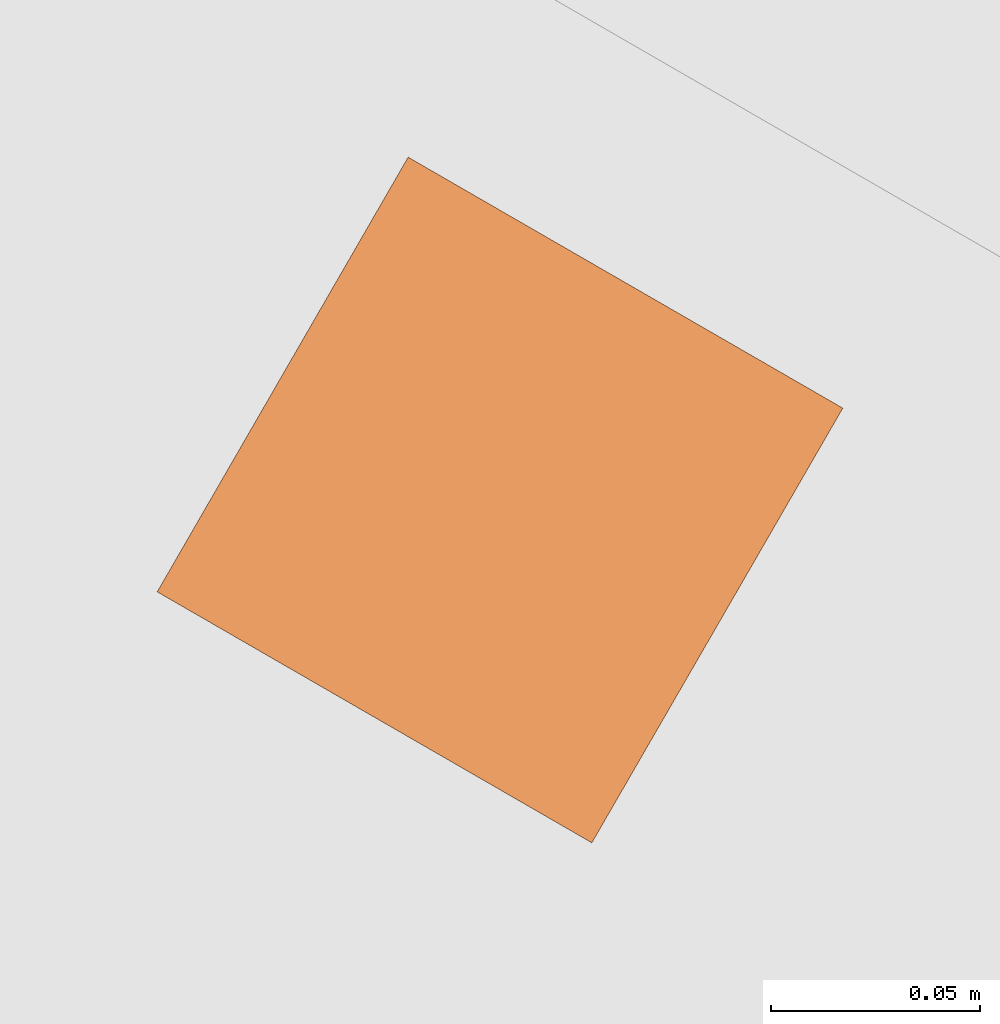
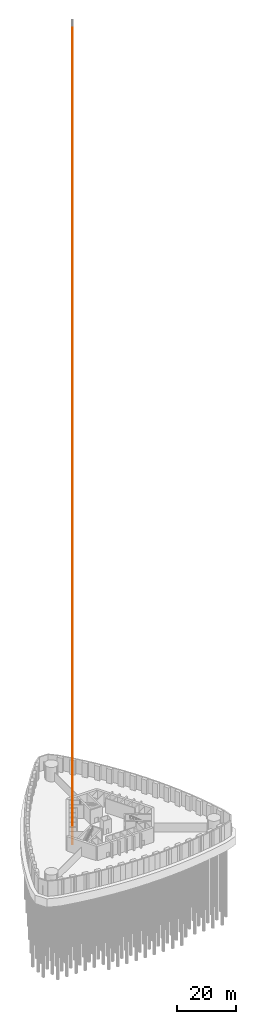
# One storey, part 9 of 12: 1 proxy.
"""IFC4 building model written with IfcOpenShell, lengths in metres."""

import ifcopenshell
import ifcopenshell.guid

model = None  # the IFC model being written
_history = None  # IfcOwnerHistory: only IFC2X3 demands one
_inside = {}  # id of a spatial element -> (the spatial element, [elements in it])
_under = {}  # id of a project, library or spatial element -> (it, [spatial elements below it])
_declared = {}  # id of a project -> (the project, [libraries it declares])
_typed = {}  # id of a type object -> (the type object, [elements of that type])
_made_of = {}  # id of a material, layer set ... -> (it, [elements and type objects made of it])


def new_model(schema):
    """Start an empty IFC model of exactly this schema.

    Asked for "IFC4X3", IfcOpenShell would pick the latest addendum, in which some entities
    have other attributes; the version numbers below select the first issue.
    IFC2X3 requires an IfcOwnerHistory on every rooted entity: one is made here for all.
    """
    global model, _history
    if schema == "IFC4X3":
        model = ifcopenshell.file(schema_version=(4, 3, 0, 0))
    else:
        model = ifcopenshell.file(schema=schema)
    _inside.clear()
    _under.clear()
    _declared.clear()
    _typed.clear()
    _made_of.clear()
    _history = None
    if model.schema == "IFC2X3":
        org = make("IfcOrganization", Name="unknown")
        user = make(
            "IfcPersonAndOrganization",
            ThePerson=make("IfcPerson", FamilyName="unknown"),
            TheOrganization=org,
        )
        app = make(
            "IfcApplication",
            ApplicationDeveloper=org,
            Version="unknown",
            ApplicationFullName="unknown",
            ApplicationIdentifier="unknown",
        )
        _history = make(
            "IfcOwnerHistory",
            OwningUser=user,
            OwningApplication=app,
            ChangeAction="ADDED",
            CreationDate=0,
        )
    return model


def make(cls, **values):
    """One entity of the class cls with the attributes given. An attribute that is None is left unset."""
    return model.create_entity(
        cls, **{name: value for name, value in values.items() if value is not None}
    )


def rooted(cls, **values):
    """An entity with a GlobalId (a new one), such as an element, a storey or a relation."""
    return make(cls, GlobalId=ifcopenshell.guid.new(), OwnerHistory=_history, **values)


def si_unit(unit_type, name, prefix=None):
    """IfcSIUnit, for example si_unit("LENGTHUNIT", "METRE", prefix="MILLI")."""
    return make("IfcSIUnit", UnitType=unit_type, Prefix=prefix, Name=name)


def assignment(units):
    """IfcUnitAssignment: the units of a project."""
    return None if units is None else make("IfcUnitAssignment", Units=units)


def point(xyz):
    """IfcCartesianPoint."""
    return None if xyz is None else make("IfcCartesianPoint", Coordinates=xyz)


def direction(xyz):
    """IfcDirection."""
    return None if xyz is None else make("IfcDirection", DirectionRatios=xyz)


def frame(location, z_axis=None, x_axis=None):
    """IfcAxis2Placement3D, a coordinate frame: its origin and axes. An axis left out is left unset."""
    return make(
        "IfcAxis2Placement3D",
        Location=point(location),
        Axis=direction(z_axis),
        RefDirection=direction(x_axis),
    )


def frame_2d(location, x_axis=None):
    """IfcAxis2Placement2D, a coordinate frame in the plane: its origin and x axis."""
    return make(
        "IfcAxis2Placement2D", Location=point(location), RefDirection=direction(x_axis)
    )


def origin():
    """The frame at (0, 0, 0) with its axes left unset."""
    return frame((0.0, 0.0, 0.0))


def origin_2d():
    """The frame at (0, 0) in the plane with its x axis left unset."""
    return frame_2d((0.0, 0.0))


def place(relative_to, where):
    """IfcLocalPlacement: puts the frame where relative to a parent placement (None: the world)."""
    return make(
        "IfcLocalPlacement", PlacementRelTo=relative_to, RelativePlacement=where
    )


def context(
    kind, dimensions, precision=None, world=None, true_north=None, identifier=None
):
    """IfcGeometricRepresentationContext, for example the 3D "Model" context."""
    return make(
        "IfcGeometricRepresentationContext",
        ContextIdentifier=identifier,
        ContextType=kind,
        CoordinateSpaceDimension=dimensions,
        Precision=precision,
        WorldCoordinateSystem=world,
        TrueNorth=true_north,
    )


def subcontext(parent, identifier, kind, view, scale=None):
    """IfcGeometricRepresentationSubContext, for example "Body" below "Model"."""
    return make(
        "IfcGeometricRepresentationSubContext",
        ContextIdentifier=identifier,
        ContextType=kind,
        ParentContext=parent,
        TargetScale=scale,
        TargetView=view,
    )


def project(units=None, contexts=None):
    """IfcProject with its units and contexts."""
    return rooted(
        "IfcProject",
        Name="project",
        RepresentationContexts=contexts,
        UnitsInContext=assignment(units),
    )


def spatial(cls, under=None, at=None, **own):
    """A site, building, storey or space (cls), placed at a placement, below another one or the project."""
    s = rooted(cls, ObjectPlacement=at, **own)
    if under is not None:
        _under.setdefault(under.id(), (under, []))[1].append(s)
    return s


def profile(cls, at=None, kind="AREA", **sizes):
    """A parametric profile (cls). Its sizes go by their IFC names, for example OverallWidth=200.0."""
    return make(cls, ProfileType=kind, Position=at, **sizes)


def rectangle(**sizes):
    """IfcRectangleProfileDef."""
    return profile("IfcRectangleProfileDef", **sizes)


def extrude(swept, where, along, depth):
    """IfcExtrudedAreaSolid: the profile swept, set in the frame where, extruded along a direction by depth."""
    return make(
        "IfcExtrudedAreaSolid",
        SweptArea=swept,
        Position=where,
        ExtrudedDirection=direction(along),
        Depth=depth,
    )


def shape(context_of_items, identifier, shape_type, items):
    """IfcShapeRepresentation: the items that make up one representation, for example the "Body"."""
    return make(
        "IfcShapeRepresentation",
        ContextOfItems=context_of_items,
        RepresentationIdentifier=identifier,
        RepresentationType=shape_type,
        Items=items,
    )


def made_of(thing, what):
    """Note that an element or type object is made of a material, layer set ...; save() writes the relation."""
    if what is not None:
        _made_of.setdefault(what.id(), (what, []))[1].append(thing)
    return thing


def element(
    cls,
    number,
    at=None,
    inside=None,
    cuts=None,
    type_object=None,
    material=None,
    context=None,
    identifier="Body",
    shape_type=None,
    held_by="IfcProductDefinitionShape",
    body=None,
    shapes=None,
    **own,
):
    """One element of the class cls, such as IfcWall. Its Tag is "e" and its number.

    at: its placement. inside: the storey or other place that contains it. cuts: it is an
    opening in that element (IfcRelVoidsElement). A single representation is given by context,
    identifier, shape_type and body (its items); several are given by shapes. held_by: the class
    of the entity that holds the representations. save() writes the other relations.
    """
    e = rooted(cls, Tag="e%d" % number, ObjectPlacement=at, **own)
    if body is not None:
        shapes = [shape(context, identifier, shape_type, body)]
    if shapes is not None:
        e.Representation = make(held_by, Representations=shapes)
    if inside is not None:
        _inside.setdefault(inside.id(), (inside, []))[1].append(e)
    if cuts is not None:
        rooted(
            "IfcRelVoidsElement", RelatingBuildingElement=cuts, RelatedOpeningElement=e
        )
    if type_object is not None:
        _typed.setdefault(type_object.id(), (type_object, []))[1].append(e)
    return made_of(e, material)


def aggregate(whole, parts):
    """IfcRelAggregates: a whole, such as a stair, and the parts it consists of."""
    return rooted("IfcRelAggregates", RelatingObject=whole, RelatedObjects=parts)


def save(model, path):
    """Write the relations noted so far, then the file.

    IfcRelAggregates (storeys below a building ...), IfcRelContainedInSpatialStructure (elements
    in a storey), IfcRelDefinesByType, IfcRelAssociatesMaterial and IfcRelDeclares: one each for
    every whole, place, type object, material and project.
    """
    for whole, parts in _under.values():
        aggregate(whole, parts)
    for where, things in _inside.values():
        rooted(
            "IfcRelContainedInSpatialStructure",
            RelatedElements=things,
            RelatingStructure=where,
        )
    for kind, things in _typed.values():
        rooted("IfcRelDefinesByType", RelatedObjects=things, RelatingType=kind)
    for what, things in _made_of.values():
        rooted("IfcRelAssociatesMaterial", RelatedObjects=things, RelatingMaterial=what)
    for by, libraries in _declared.values():
        rooted("IfcRelDeclares", RelatingContext=by, RelatedDefinitions=libraries)
    model.write(path)


model = new_model("IFC4")

# Units and contexts
model_context = context("Model", 3, precision=1e-05, world=origin(), true_north=direction((0.0, 1.0)))
body_context = subcontext(model_context, "Body", "Model", "MODEL_VIEW")
ifc_project = project(units=[si_unit("LENGTHUNIT", "METRE"), si_unit("AREAUNIT", "SQUARE_METRE"), si_unit("VOLUMEUNIT", "CUBIC_METRE"), si_unit("PLANEANGLEUNIT", "RADIAN"), si_unit("MASSUNIT", "GRAM", prefix="KILO")], contexts=[model_context])

# Site, building, storey
site_placement = place(None, origin())
site = spatial("IfcSite", under=ifc_project, at=site_placement, CompositionType="ELEMENT")
building_placement = place(site_placement, origin())
building = spatial("IfcBuilding", under=site, at=building_placement, Name="Trefoil Bronze Tower", CompositionType="ELEMENT")
storey_placement = place(building_placement, frame((0.0, 0.0, -6.0)))
storey = spatial("IfcBuildingStorey", under=building, at=storey_placement, Name="B1", CompositionType="ELEMENT", Elevation=-6.0)

# Proxy
proxy_placement = place(storey_placement, frame((-12.33935546875, 1.25244140625, -1.599853515625), z_axis=(0.0, 0.0, 1.0), x_axis=(-0.5, -0.866025403784, 0.0)))
element("IfcBuildingElementProxy", 1, at=proxy_placement, inside=storey, Name="Lift FL2 guide rail 2", ObjectType="LIFT GUIDE RAIL", PredefinedType="USERDEFINED", context=body_context, shape_type="SweptSolid", body=[
    extrude(rectangle(XDim=0.1201171875, YDim=0.1201171875, at=origin_2d()), origin(), (0.0, 0.0, 1.0), 340.39990234375),
])

save(model, "model.ifc")
